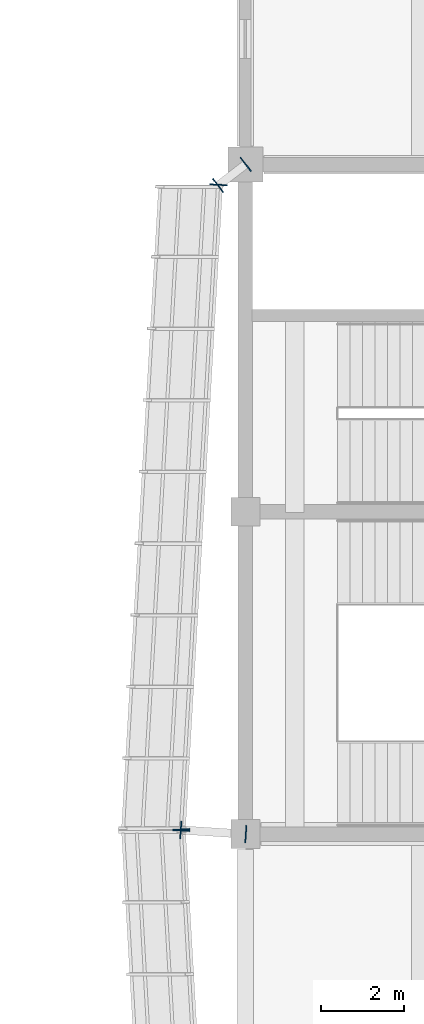
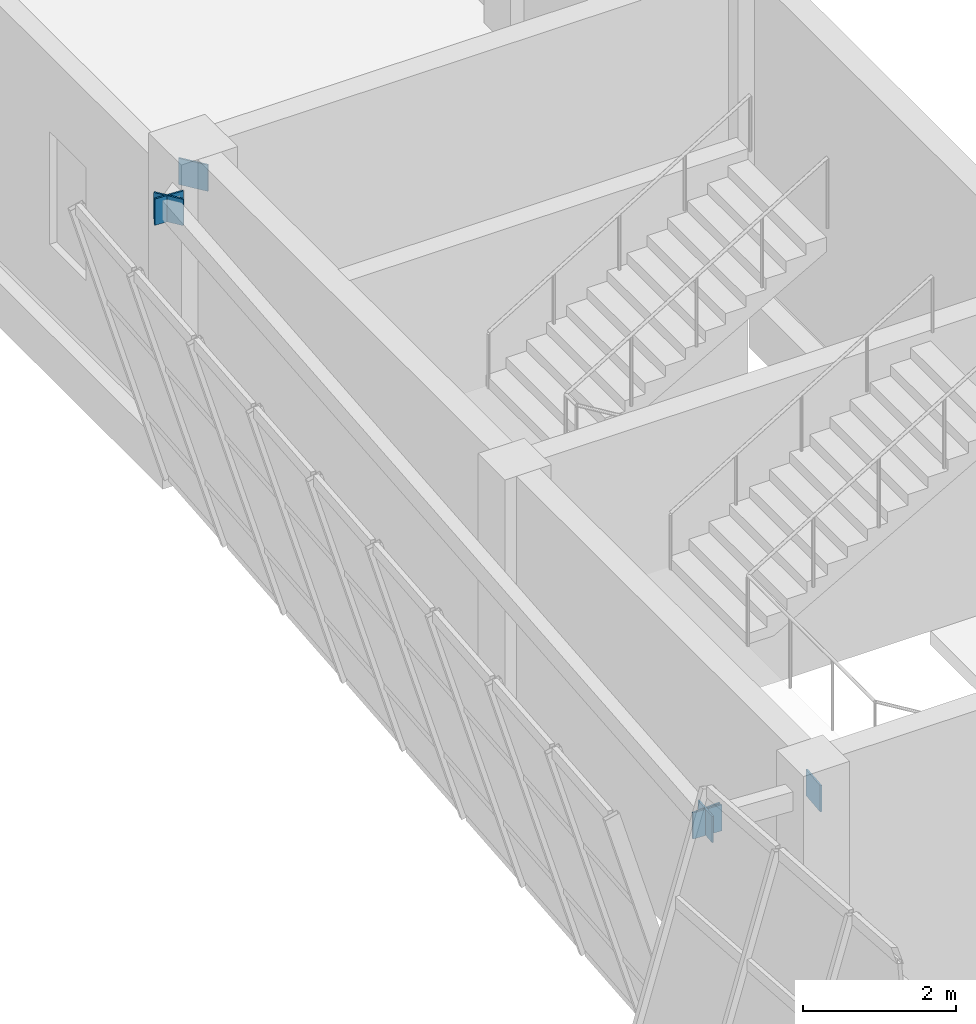
# One storey, part 77 of 91: 7 plates.
"""IFC4 building model written with IfcOpenShell, lengths in metres."""

import ifcopenshell
import ifcopenshell.guid

model = None  # the IFC model being written
_history = None  # IfcOwnerHistory: only IFC2X3 demands one
_inside = {}  # id of a spatial element -> (the spatial element, [elements in it])
_under = {}  # id of a project, library or spatial element -> (it, [spatial elements below it])
_declared = {}  # id of a project -> (the project, [libraries it declares])
_typed = {}  # id of a type object -> (the type object, [elements of that type])
_made_of = {}  # id of a material, layer set ... -> (it, [elements and type objects made of it])


def new_model(schema):
    """Start an empty IFC model of exactly this schema.

    Asked for "IFC4X3", IfcOpenShell would pick the latest addendum, in which some entities
    have other attributes; the version numbers below select the first issue.
    IFC2X3 requires an IfcOwnerHistory on every rooted entity: one is made here for all.
    """
    global model, _history
    if schema == "IFC4X3":
        model = ifcopenshell.file(schema_version=(4, 3, 0, 0))
    else:
        model = ifcopenshell.file(schema=schema)
    _inside.clear()
    _under.clear()
    _declared.clear()
    _typed.clear()
    _made_of.clear()
    _history = None
    if model.schema == "IFC2X3":
        org = make("IfcOrganization", Name="unknown")
        user = make(
            "IfcPersonAndOrganization",
            ThePerson=make("IfcPerson", FamilyName="unknown"),
            TheOrganization=org,
        )
        app = make(
            "IfcApplication",
            ApplicationDeveloper=org,
            Version="unknown",
            ApplicationFullName="unknown",
            ApplicationIdentifier="unknown",
        )
        _history = make(
            "IfcOwnerHistory",
            OwningUser=user,
            OwningApplication=app,
            ChangeAction="ADDED",
            CreationDate=0,
        )
    return model


def make(cls, **values):
    """One entity of the class cls with the attributes given. An attribute that is None is left unset."""
    return model.create_entity(
        cls, **{name: value for name, value in values.items() if value is not None}
    )


def rooted(cls, **values):
    """An entity with a GlobalId (a new one), such as an element, a storey or a relation."""
    return make(cls, GlobalId=ifcopenshell.guid.new(), OwnerHistory=_history, **values)


def si_unit(unit_type, name, prefix=None):
    """IfcSIUnit, for example si_unit("LENGTHUNIT", "METRE", prefix="MILLI")."""
    return make("IfcSIUnit", UnitType=unit_type, Prefix=prefix, Name=name)


def assignment(units):
    """IfcUnitAssignment: the units of a project."""
    return None if units is None else make("IfcUnitAssignment", Units=units)


def point(xyz):
    """IfcCartesianPoint."""
    return None if xyz is None else make("IfcCartesianPoint", Coordinates=xyz)


def direction(xyz):
    """IfcDirection."""
    return None if xyz is None else make("IfcDirection", DirectionRatios=xyz)


def frame(location, z_axis=None, x_axis=None):
    """IfcAxis2Placement3D, a coordinate frame: its origin and axes. An axis left out is left unset."""
    return make(
        "IfcAxis2Placement3D",
        Location=point(location),
        Axis=direction(z_axis),
        RefDirection=direction(x_axis),
    )


def frame_2d(location, x_axis=None):
    """IfcAxis2Placement2D, a coordinate frame in the plane: its origin and x axis."""
    return make(
        "IfcAxis2Placement2D", Location=point(location), RefDirection=direction(x_axis)
    )


def origin():
    """The frame at (0, 0, 0) with its axes left unset."""
    return frame((0.0, 0.0, 0.0))


def origin_2d():
    """The frame at (0, 0) in the plane with its x axis left unset."""
    return frame_2d((0.0, 0.0))


def place(relative_to, where):
    """IfcLocalPlacement: puts the frame where relative to a parent placement (None: the world)."""
    return make(
        "IfcLocalPlacement", PlacementRelTo=relative_to, RelativePlacement=where
    )


def context(
    kind, dimensions, precision=None, world=None, true_north=None, identifier=None
):
    """IfcGeometricRepresentationContext, for example the 3D "Model" context."""
    return make(
        "IfcGeometricRepresentationContext",
        ContextIdentifier=identifier,
        ContextType=kind,
        CoordinateSpaceDimension=dimensions,
        Precision=precision,
        WorldCoordinateSystem=world,
        TrueNorth=true_north,
    )


def subcontext(parent, identifier, kind, view, scale=None):
    """IfcGeometricRepresentationSubContext, for example "Body" below "Model"."""
    return make(
        "IfcGeometricRepresentationSubContext",
        ContextIdentifier=identifier,
        ContextType=kind,
        ParentContext=parent,
        TargetScale=scale,
        TargetView=view,
    )


def project(units=None, contexts=None):
    """IfcProject with its units and contexts."""
    return rooted(
        "IfcProject",
        Name="project",
        RepresentationContexts=contexts,
        UnitsInContext=assignment(units),
    )


def spatial(cls, under=None, at=None, **own):
    """A site, building, storey or space (cls), placed at a placement, below another one or the project."""
    s = rooted(cls, ObjectPlacement=at, **own)
    if under is not None:
        _under.setdefault(under.id(), (under, []))[1].append(s)
    return s


def profile(cls, at=None, kind="AREA", **sizes):
    """A parametric profile (cls). Its sizes go by their IFC names, for example OverallWidth=200.0."""
    return make(cls, ProfileType=kind, Position=at, **sizes)


def rectangle(**sizes):
    """IfcRectangleProfileDef."""
    return profile("IfcRectangleProfileDef", **sizes)


def extrude(swept, where, along, depth):
    """IfcExtrudedAreaSolid: the profile swept, set in the frame where, extruded along a direction by depth."""
    return make(
        "IfcExtrudedAreaSolid",
        SweptArea=swept,
        Position=where,
        ExtrudedDirection=direction(along),
        Depth=depth,
    )


def shape(context_of_items, identifier, shape_type, items):
    """IfcShapeRepresentation: the items that make up one representation, for example the "Body"."""
    return make(
        "IfcShapeRepresentation",
        ContextOfItems=context_of_items,
        RepresentationIdentifier=identifier,
        RepresentationType=shape_type,
        Items=items,
    )


def material(Name=None, Category=None):
    """IfcMaterial."""
    return make("IfcMaterial", Name=Name, Category=Category)


def layer(
    of_material, thickness, ventilated=None, Name=None, Category=None, Priority=None
):
    """IfcMaterialLayer: one layer of a wall or slab, of a material (None: an air gap)."""
    return make(
        "IfcMaterialLayer",
        Material=of_material,
        LayerThickness=thickness,
        IsVentilated=ventilated,
        Name=Name,
        Category=Category,
        Priority=Priority,
    )


def layer_set(layers, Name=None):
    """IfcMaterialLayerSet."""
    return make("IfcMaterialLayerSet", MaterialLayers=layers, LayerSetName=Name)


def made_of(thing, what):
    """Note that an element or type object is made of a material, layer set ...; save() writes the relation."""
    if what is not None:
        _made_of.setdefault(what.id(), (what, []))[1].append(thing)
    return thing


def type_object(cls, material=None, **own):
    """A type object (cls), such as IfcWallType, which elements share."""
    return made_of(rooted(cls, **own), material)


def element(
    cls,
    number,
    at=None,
    inside=None,
    cuts=None,
    type_object=None,
    material=None,
    context=None,
    identifier="Body",
    shape_type=None,
    held_by="IfcProductDefinitionShape",
    body=None,
    shapes=None,
    **own,
):
    """One element of the class cls, such as IfcWall. Its Tag is "e" and its number.

    at: its placement. inside: the storey or other place that contains it. cuts: it is an
    opening in that element (IfcRelVoidsElement). A single representation is given by context,
    identifier, shape_type and body (its items); several are given by shapes. held_by: the class
    of the entity that holds the representations. save() writes the other relations.
    """
    e = rooted(cls, Tag="e%d" % number, ObjectPlacement=at, **own)
    if body is not None:
        shapes = [shape(context, identifier, shape_type, body)]
    if shapes is not None:
        e.Representation = make(held_by, Representations=shapes)
    if inside is not None:
        _inside.setdefault(inside.id(), (inside, []))[1].append(e)
    if cuts is not None:
        rooted(
            "IfcRelVoidsElement", RelatingBuildingElement=cuts, RelatedOpeningElement=e
        )
    if type_object is not None:
        _typed.setdefault(type_object.id(), (type_object, []))[1].append(e)
    return made_of(e, material)


def aggregate(whole, parts):
    """IfcRelAggregates: a whole, such as a stair, and the parts it consists of."""
    return rooted("IfcRelAggregates", RelatingObject=whole, RelatedObjects=parts)


def save(model, path):
    """Write the relations noted so far, then the file.

    IfcRelAggregates (storeys below a building ...), IfcRelContainedInSpatialStructure (elements
    in a storey), IfcRelDefinesByType, IfcRelAssociatesMaterial and IfcRelDeclares: one each for
    every whole, place, type object, material and project.
    """
    for whole, parts in _under.values():
        aggregate(whole, parts)
    for where, things in _inside.values():
        rooted(
            "IfcRelContainedInSpatialStructure",
            RelatedElements=things,
            RelatingStructure=where,
        )
    for kind, things in _typed.values():
        rooted("IfcRelDefinesByType", RelatedObjects=things, RelatingType=kind)
    for what, things in _made_of.values():
        rooted("IfcRelAssociatesMaterial", RelatedObjects=things, RelatingMaterial=what)
    for by, libraries in _declared.values():
        rooted("IfcRelDeclares", RelatingContext=by, RelatedDefinitions=libraries)
    model.write(path)


model = new_model("IFC4")

# Units and contexts
model_context = context("Model", 3, precision=1e-05, world=origin(), true_north=direction((0.0, 1.0)))
body_context = subcontext(model_context, "Body", "Model", "MODEL_VIEW")
ifc_project = project(units=[si_unit("LENGTHUNIT", "METRE"), si_unit("AREAUNIT", "SQUARE_METRE"), si_unit("VOLUMEUNIT", "CUBIC_METRE"), si_unit("PLANEANGLEUNIT", "RADIAN"), si_unit("MASSUNIT", "GRAM", prefix="KILO")], contexts=[model_context])

# Site, building, storey
site_placement = place(None, origin())
site = spatial("IfcSite", under=ifc_project, at=site_placement, CompositionType="ELEMENT")
building_placement = place(site_placement, origin())
building = spatial("IfcBuilding", under=site, at=building_placement, Name="Pellamere Symphony Hall", CompositionType="ELEMENT")
storey_placement = place(building_placement, frame((0.0, 0.0, 5.39990234375)))
storey = spatial("IfcBuildingStorey", under=building, at=storey_placement, Name="L01", CompositionType="ELEMENT", Elevation=5.39990234375)

# Plates
ifc_material = material(Name="Steel CSA G40.21 350W", Category="steel")
ifc_layer = layer(ifc_material, 0.02490234375, Name="Steel CSA G40.21 350W")
ifc_layer_set = layer_set([ifc_layer], Name="Steel CSA G40.21 350W")
plate_type = type_object("IfcPlateType", Name="Steel Connection Plate KP-01 420x420x25", PredefinedType="SHEET", material=ifc_layer_set)
for number, where, z_axis, x_axis, name in (
    (1, (49.750732421875, 93.112060546875, 4.030029296875), (0.0, 0.0, 1.0), (-0.05756402696, -0.998341816614, 0.0), "Crystal Spandrel End Cap Plate CW-CR15-1 (L01)"),
    (2, (48.849365234375, 77.488037109375, 4.030029296875), (0.0, 0.0, 1.0), (-0.05756402696, -0.998341816614, 0.0), "Crystal Spandrel End Cap Plate CW-CR15-2 (L01)"),
    (3, (50.409423828125, 93.607421875, 4.030029296875), (0.0, 0.0, 1.0), (-0.792609005996, -0.609730238396, 0.0), "Outrigger End Cap Plate 085.1 (L01)"),
    (4, (49.740478515625, 93.0927734375, 4.030029296875), (0.0, 0.0, 1.0), (-0.792609005996, -0.609730238396, 0.0), "Outrigger End Cap Plate 085.2 (L01)"),
    (5, (50.412109375, 77.399169921875, 4.030029296875), (0.0, 0.0, 1.0), (-0.997926866086, 0.064358138139, 0.0), "Outrigger End Cap Plate 086.1 (L01)"),
    (6, (48.837890625, 77.500732421875, 4.030029296875), (0.0, 0.0, 1.0), (-0.997926866086, 0.064358138139, 0.0), "Outrigger End Cap Plate 086.2 (L01)"),
    (7, (48.849365234375, 77.511962890625, 4.030029296875), (0.0, 0.0, 1.0), (0.057215536424, -0.998361849427, 0.0), "Crystal Spandrel End Cap Plate CW-CR16-1 (L01)"),
):
    element("IfcPlate", number, at=place(storey_placement, frame(where, z_axis=z_axis, x_axis=x_axis)), inside=storey, type_object=plate_type, Name=name, PredefinedType="SHEET", context=body_context, shape_type="SweptSolid", body=[
        extrude(rectangle(XDim=0.02490234375, YDim=0.419921875, at=origin_2d()), origin(), (0.0, 0.0, 1.0), 0.419921875),
    ])

save(model, "model.ifc")
